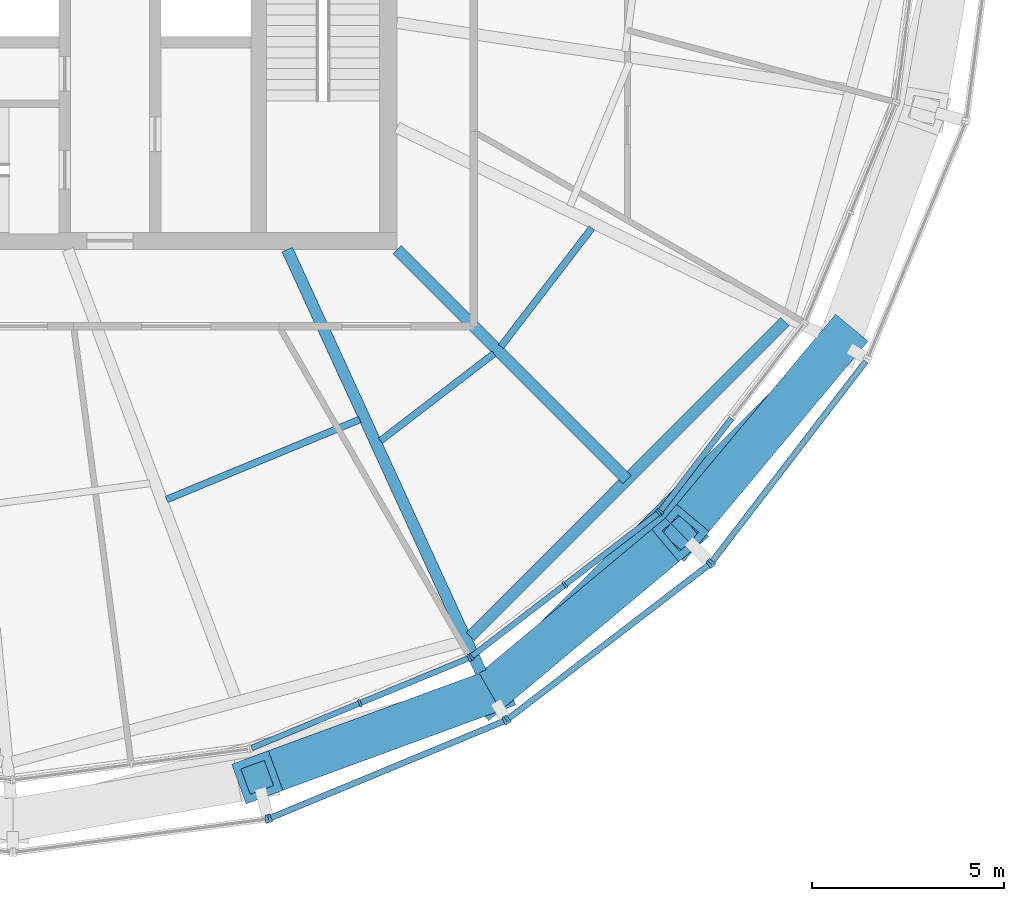
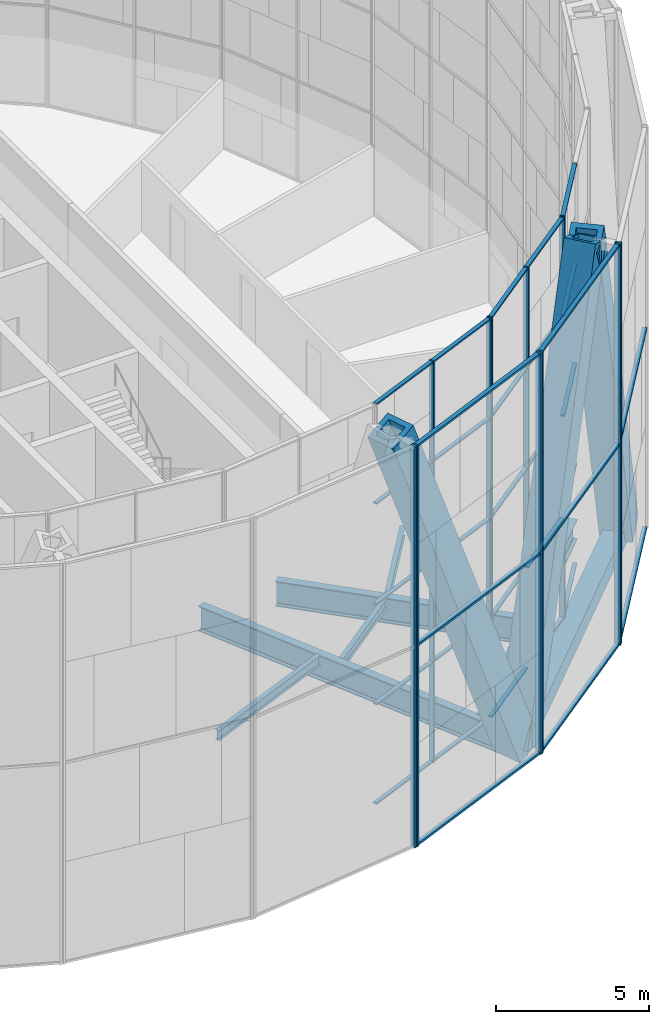
# One storey, part 5 of 28: 48 members, 7 beams, 7 elements without a shape of their own.
"""IFC4 building model written with IfcOpenShell, lengths in metres."""

from ifc_helpers import new_model, si_unit, direction, frame, origin, origin_2d, place, context, subcontext, project, spatial, rectangle, hollow_rectangle, i_section, extrude, material, material_profile, profile_set, type_object, element, aggregate, save


model = new_model("IFC4")

# Units and contexts
model_context = context("Model", 3, precision=1e-05, world=origin(), true_north=direction((0.0, 1.0)))
body_context = subcontext(model_context, "Body", "Model", "MODEL_VIEW")
ifc_project = project(units=[si_unit("LENGTHUNIT", "METRE"), si_unit("AREAUNIT", "SQUARE_METRE"), si_unit("VOLUMEUNIT", "CUBIC_METRE"), si_unit("PLANEANGLEUNIT", "RADIAN"), si_unit("MASSUNIT", "GRAM", prefix="KILO")], contexts=[model_context])

# Site, building, storey
site_placement = place(None, origin())
site = spatial("IfcSite", under=ifc_project, at=site_placement, CompositionType="ELEMENT")
building_placement = place(site_placement, origin())
building = spatial("IfcBuilding", under=site, at=building_placement, Name="Golbaran Civic Tower", CompositionType="ELEMENT")
storey_placement = place(building_placement, frame((0.0, 0.0, 183.0)))
storey = spatial("IfcBuildingStorey", under=building, at=storey_placement, Name="L44", CompositionType="ELEMENT", Elevation=183.0)

# Members
ifc_material_1 = material(Name="Steel S355", Category="steel")
ifc_material_profile_1 = material_profile(ifc_material_1, hollow_rectangle(XDim=1.10009765625, YDim=1.10009765625, WallThickness=0.199951171875, at=origin_2d()), Name="BOX 1100x1100x200")
ifc_profile_set_1 = profile_set([ifc_material_profile_1], Name="Steel S355")
member_type_1 = type_object("IfcMemberType", Name="DIAGRID DIAGONAL BOX 1100x1100x200", PredefinedType="BRACE", material=ifc_profile_set_1)
for number, where, z_axis, x_axis, name in (
    (1, (12.423583984375, -21.51806640625, -0.7099609375), (0.287218522204, 0.239886471914, 0.927340283335), (-0.641031997067, 0.767514155398, 0.0), "Diagonal D10-10R L44-L48"),
    (2, (12.423583984375, -21.51806640625, -0.7099609375), (-0.351359818356, -0.128807878317, 0.927337483621), (0.344197986848, -0.938897090127, 0.0), "Diagonal D10-10L L44-L48"),
    (3, (21.51806640625, -12.423583984375, -0.7099609375), (-0.239886471914, -0.287218522204, 0.927340283335), (0.767514155398, -0.641031997067, 0.0), "Diagonal D10-11L L44-L48"),
):
    element("IfcMember", number, at=place(storey_placement, frame(where, z_axis=z_axis, x_axis=x_axis)), inside=storey, type_object=member_type_1, Name=name, PredefinedType="BRACE", context=body_context, shape_type="SweptSolid", body=[
        extrude(hollow_rectangle(XDim=1.10009765625, YDim=1.10009765625, WallThickness=0.199951171875, at=origin_2d()), origin(), (0.0, 0.0, 1.0), 17.253662109375),
    ])

# Beams
ifc_material_profile_2 = material_profile(ifc_material_1, hollow_rectangle(XDim=0.699951171875, YDim=0.699951171875, WallThickness=0.080078125, at=origin_2d()), Name="BOX 700x700x80")
ifc_profile_set_2 = profile_set([ifc_material_profile_2], Name="Steel S355")
beam_type_1 = type_object("IfcBeamType", Name="DIAGRID RING TIE BOX 700x700x80", PredefinedType="BEAM", material=ifc_profile_set_2)
beam_1_placement = place(storey_placement, frame((12.423583984375, -21.51806640625, -0.7099609375), z_axis=(0.707106781187, 0.707106781187, 0.0), x_axis=(-0.707106781187, 0.707106781187, 0.0)))
element("IfcBeam", 4, at=beam_1_placement, inside=storey, type_object=beam_type_1, Name="Ring tie 300.00 L44", PredefinedType="BEAM", context=body_context, shape_type="SweptSolid", body=[
    extrude(hollow_rectangle(XDim=0.699951171875, YDim=0.699951171875, WallThickness=0.080078125, at=origin_2d()), origin(), (0.0, 0.0, 1.0), 12.861572265625),
])
ifc_material_profile_3 = material_profile(ifc_material_1, i_section(OverallWidth=0.300048828125, OverallDepth=0.800048828125, WebThickness=0.017578125, FlangeThickness=0.032958984375, FilletRadius=0.030029296875, at=origin_2d()), Name="HEB 800")
ifc_profile_set_3 = profile_set([ifc_material_profile_3], Name="Steel S355")
beam_type_2 = type_object("IfcBeamType", Name="EDGE BEAM HEB 800", PredefinedType="BEAM", material=ifc_profile_set_3)
beam_2_placement = place(storey_placement, frame((11.906494140625, -20.07861328125, -0.60009765625), z_axis=(0.706601088042, 0.707612112939, 0.0), x_axis=(-0.707612112939, 0.706601088042, 0.0)))
element("IfcBeam", 5, at=beam_2_placement, inside=storey, type_object=beam_type_2, Name="Edge beam 300.00 L44", PredefinedType="BEAM", context=body_context, shape_type="SweptSolid", body=[
    extrude(i_section(OverallWidth=0.300048828125, OverallDepth=0.800048828125, WebThickness=0.017578125, FlangeThickness=0.032958984375, FilletRadius=0.030029296875, at=origin_2d()), origin(), (0.0, 0.0, 1.0), 11.591064453125),
])
ifc_material_profile_4 = material_profile(ifc_material_1, i_section(OverallWidth=0.179931640625, OverallDepth=0.39990234375, WebThickness=0.008544921875, FlangeThickness=0.013427734375, FilletRadius=0.02099609375, at=origin_2d()), Name="IPE 400")
ifc_profile_set_4 = profile_set([ifc_material_profile_4], Name="Steel S355")
beam_type_3 = type_object("IfcBeamType", Name="FLOOR INFILL BEAM IPE 400", PredefinedType="BEAM", material=ifc_profile_set_4)
beam_3_placement = place(storey_placement, frame((4.001953125, -16.5068359375, -0.39990234375), z_axis=(0.923883388198, 0.382674123782, 0.0), x_axis=(-0.382674123782, 0.923883388198, 0.0)))
element("IfcBeam", 6, at=beam_3_placement, inside=storey, type_object=beam_type_3, Name="Infill beam 292.50 L44", PredefinedType="BEAM", context=body_context, shape_type="SweptSolid", body=[
    extrude(i_section(OverallWidth=0.179931640625, OverallDepth=0.39990234375, WebThickness=0.008544921875, FlangeThickness=0.013427734375, FilletRadius=0.02099609375, at=origin_2d()), origin(), (0.0, 0.0, 1.0), 5.440673828125),
])
beam_4_placement = place(storey_placement, frame((9.568115234375, -14.977783203125, -0.39990234375), z_axis=(0.793380688002, 0.60872578712, 0.0), x_axis=(-0.60872578712, 0.793380688002, 0.0)))
element("IfcBeam", 7, at=beam_4_placement, inside=storey, type_object=beam_type_3, Name="Infill beam 307.50 L44", PredefinedType="BEAM", context=body_context, shape_type="SweptSolid", body=[
    extrude(i_section(OverallWidth=0.179931640625, OverallDepth=0.39990234375, WebThickness=0.008544921875, FlangeThickness=0.013427734375, FilletRadius=0.02099609375, at=origin_2d()), origin(), (0.0, 0.0, 1.0), 3.72705078125),
])
beam_5_placement = place(storey_placement, frame((12.707275390625, -12.5234375, -0.39990234375), z_axis=(0.608764623827, 0.79335088881, 0.0), x_axis=(-0.79335088881, 0.608764623827, 0.0)))
element("IfcBeam", 8, at=beam_5_placement, inside=storey, type_object=beam_type_3, Name="Infill beam 322.50 L44", PredefinedType="BEAM", context=body_context, shape_type="SweptSolid", body=[
    extrude(i_section(OverallWidth=0.179931640625, OverallDepth=0.39990234375, WebThickness=0.008544921875, FlangeThickness=0.013427734375, FilletRadius=0.02099609375, at=origin_2d()), origin(), (0.0, 0.0, 1.0), 3.892578125),
])

# Curtain wall, members
ifc_material_2 = material(Name="Aluminium and glass", Category="aluminium")
curtain_wall_type_1 = type_object("IfcCurtainWallType", Name="INNER SKIN CURTAIN WALL EXECUTIVE", PredefinedType="NOTDEFINED", material=ifc_material_2)
curtain_wall_1_placement = place(storey_placement, origin())
curtain_wall_1 = element("IfcCurtainWall", 9, at=curtain_wall_1_placement, inside=storey, type_object=curtain_wall_type_1, Name="Inner skin L44 facet 20 CW2", ObjectType="INNER SKIN", PredefinedType="USERDEFINED")
ifc_material_3 = material(Name="Aluminium", Category="aluminium")
ifc_material_profile_5 = material_profile(ifc_material_3, rectangle(XDim=0.199951171875, YDim=0.06005859375, at=origin_2d()), Name="INNER SKIN CURTAIN WALL EXECUTIVE MULLION")
ifc_profile_set_5 = profile_set([ifc_material_profile_5], Name="Aluminium")
member_type_2 = type_object("IfcMemberType", Name="INNER SKIN CURTAIN WALL EXECUTIVE MULLION", PredefinedType="MULLION", material=ifc_profile_set_5)
member_1_placement = place(storey_placement, frame((9.034423828125, -21.811279296875, 0.0), z_axis=(0.0, 0.0, 1.0), x_axis=(-0.382683432413, 0.923879532491, 0.0)))
member_1 = element("IfcMember", 10, at=member_1_placement, type_object=member_type_2, Name="CW2 mullion 2", PredefinedType="MULLION", context=body_context, shape_type="SweptSolid", body=[
    extrude(rectangle(XDim=0.199951171875, YDim=0.06005859375, at=origin_2d()), origin(), (0.0, 0.0, 1.0), 16.0),
])
member_2_placement = place(storey_placement, frame((11.878173828125, -20.63330078125, 0.0), z_axis=(0.0, 0.0, 1.0), x_axis=(-0.382683432413, 0.923879532491, 0.0)))
member_2 = element("IfcMember", 11, at=member_2_placement, type_object=member_type_2, Name="CW2 mullion 3", PredefinedType="MULLION", context=body_context, shape_type="SweptSolid", body=[
    extrude(rectangle(XDim=0.199951171875, YDim=0.06005859375, at=origin_2d()), origin(), (0.0, 0.0, 1.0), 16.0),
])

curtain_wall_2_placement = place(storey_placement, origin())
curtain_wall_2 = element("IfcCurtainWall", 12, at=curtain_wall_2_placement, inside=storey, type_object=curtain_wall_type_1, Name="Inner skin L44 facet 21 CW2", ObjectType="INNER SKIN", PredefinedType="USERDEFINED")
member_3_placement = place(storey_placement, frame((11.9296875, -20.603515625, 0.0), z_axis=(0.0, 0.0, 1.0), x_axis=(-0.608761428953, 0.793353340334, 0.0)))
member_3 = element("IfcMember", 13, at=member_3_placement, type_object=member_type_2, Name="CW2 mullion 1", PredefinedType="MULLION", context=body_context, shape_type="SweptSolid", body=[
    extrude(rectangle(XDim=0.199951171875, YDim=0.06005859375, at=origin_2d()), origin(), (0.0, 0.0, 1.0), 16.0),
])
member_4_placement = place(storey_placement, frame((14.371826171875, -18.729736328125, 0.0), z_axis=(0.0, 0.0, 1.0), x_axis=(-0.608761428953, 0.793353340334, 0.0)))
member_4 = element("IfcMember", 14, at=member_4_placement, type_object=member_type_2, Name="CW2 mullion 2", PredefinedType="MULLION", context=body_context, shape_type="SweptSolid", body=[
    extrude(rectangle(XDim=0.199951171875, YDim=0.06005859375, at=origin_2d()), origin(), (0.0, 0.0, 1.0), 16.0),
])
member_5_placement = place(storey_placement, frame((16.813720703125, -16.85595703125, 0.0), z_axis=(0.0, 0.0, 1.0), x_axis=(-0.608761428953, 0.793353340334, 0.0)))
member_5 = element("IfcMember", 15, at=member_5_placement, type_object=member_type_2, Name="CW2 mullion 3", PredefinedType="MULLION", context=body_context, shape_type="SweptSolid", body=[
    extrude(rectangle(XDim=0.199951171875, YDim=0.06005859375, at=origin_2d()), origin(), (0.0, 0.0, 1.0), 16.0),
])

# Curtain wall, member
curtain_wall_3_placement = place(storey_placement, origin())
curtain_wall_3 = element("IfcCurtainWall", 16, at=curtain_wall_3_placement, inside=storey, type_object=curtain_wall_type_1, Name="Inner skin L44 facet 22 CW2", ObjectType="INNER SKIN", PredefinedType="USERDEFINED")
member_6_placement = place(storey_placement, frame((16.85595703125, -16.813720703125, 0.0), z_axis=(0.0, 0.0, 1.0), x_axis=(-0.793353340334, 0.608761428953, 0.0)))
member_6 = element("IfcMember", 17, at=member_6_placement, type_object=member_type_2, Name="CW2 mullion 1", PredefinedType="MULLION", context=body_context, shape_type="SweptSolid", body=[
    extrude(rectangle(XDim=0.199951171875, YDim=0.06005859375, at=origin_2d()), origin(), (0.0, 0.0, 1.0), 16.0),
])

# Member
ifc_material_profile_6 = material_profile(ifc_material_3, rectangle(XDim=0.14990234375, YDim=0.06005859375, at=origin_2d()), Name="INNER SKIN CURTAIN WALL EXECUTIVE TRANSOM")
ifc_profile_set_6 = profile_set([ifc_material_profile_6], Name="Aluminium")
member_type_3 = type_object("IfcMemberType", Name="INNER SKIN CURTAIN WALL EXECUTIVE TRANSOM", PredefinedType="USERDEFINED", material=ifc_profile_set_6)
member_7_placement = place(storey_placement, frame((6.218505859375, -22.977783203125, 0.030029296875), z_axis=(0.923871898929, 0.382701860943, 0.0), x_axis=(-0.382701860943, 0.923871898929, 0.0)))
member_7 = element("IfcMember", 18, at=member_7_placement, type_object=member_type_3, Name="CW2 transom 1.1", ObjectType="TRANSOM", PredefinedType="USERDEFINED", context=body_context, shape_type="SweptSolid", body=[
    extrude(rectangle(XDim=0.14990234375, YDim=0.06005859375, at=origin_2d()), origin(), (0.0, 0.0, 1.0), 3.01806640625),
])

member_8_placement = place(storey_placement, frame((6.218505859375, -22.977783203125, 4.0), z_axis=(0.923871898929, 0.382701860943, 0.0), x_axis=(-0.382701860943, 0.923871898929, 0.0)))
member_8 = element("IfcMember", 19, at=member_8_placement, type_object=member_type_3, Name="CW2 transom 1.2", ObjectType="TRANSOM", PredefinedType="USERDEFINED", context=body_context, shape_type="SweptSolid", body=[
    extrude(rectangle(XDim=0.14990234375, YDim=0.06005859375, at=origin_2d()), origin(), (0.0, 0.0, 1.0), 3.01806640625),
])

member_9_placement = place(storey_placement, frame((6.218505859375, -22.977783203125, 8.0), z_axis=(0.923871898929, 0.382701860943, 0.0), x_axis=(-0.382701860943, 0.923871898929, 0.0)))
member_9 = element("IfcMember", 20, at=member_9_placement, type_object=member_type_3, Name="CW2 transom 1.3", ObjectType="TRANSOM", PredefinedType="USERDEFINED", context=body_context, shape_type="SweptSolid", body=[
    extrude(rectangle(XDim=0.14990234375, YDim=0.06005859375, at=origin_2d()), origin(), (0.0, 0.0, 1.0), 3.01806640625),
])

member_10_placement = place(storey_placement, frame((6.218505859375, -22.977783203125, 12.0), z_axis=(0.923871898929, 0.382701860943, 0.0), x_axis=(-0.382701860943, 0.923871898929, 0.0)))
member_10 = element("IfcMember", 21, at=member_10_placement, type_object=member_type_3, Name="CW2 transom 1.4", ObjectType="TRANSOM", PredefinedType="USERDEFINED", context=body_context, shape_type="SweptSolid", body=[
    extrude(rectangle(XDim=0.14990234375, YDim=0.06005859375, at=origin_2d()), origin(), (0.0, 0.0, 1.0), 3.01806640625),
])

member_11_placement = place(storey_placement, frame((6.218505859375, -22.977783203125, 15.969970703125), z_axis=(0.923871898929, 0.382701860943, 0.0), x_axis=(-0.382701860943, 0.923871898929, 0.0)))
member_11 = element("IfcMember", 22, at=member_11_placement, type_object=member_type_3, Name="CW2 transom 1.5", ObjectType="TRANSOM", PredefinedType="USERDEFINED", context=body_context, shape_type="SweptSolid", body=[
    extrude(rectangle(XDim=0.14990234375, YDim=0.06005859375, at=origin_2d()), origin(), (0.0, 0.0, 1.0), 3.01806640625),
])

member_12_placement = place(storey_placement, frame((9.062255859375, -21.7998046875, 0.030029296875), z_axis=(0.923871898929, 0.382701860943, 0.0), x_axis=(-0.382701860943, 0.923871898929, 0.0)))
member_12 = element("IfcMember", 23, at=member_12_placement, type_object=member_type_3, Name="CW2 transom 2.1", ObjectType="TRANSOM", PredefinedType="USERDEFINED", context=body_context, shape_type="SweptSolid", body=[
    extrude(rectangle(XDim=0.14990234375, YDim=0.06005859375, at=origin_2d()), origin(), (0.0, 0.0, 1.0), 3.01806640625),
])

member_13_placement = place(storey_placement, frame((9.062255859375, -21.7998046875, 4.0), z_axis=(0.923871898929, 0.382701860943, 0.0), x_axis=(-0.382701860943, 0.923871898929, 0.0)))
member_13 = element("IfcMember", 24, at=member_13_placement, type_object=member_type_3, Name="CW2 transom 2.2", ObjectType="TRANSOM", PredefinedType="USERDEFINED", context=body_context, shape_type="SweptSolid", body=[
    extrude(rectangle(XDim=0.14990234375, YDim=0.06005859375, at=origin_2d()), origin(), (0.0, 0.0, 1.0), 3.01806640625),
])

member_14_placement = place(storey_placement, frame((9.062255859375, -21.7998046875, 8.0), z_axis=(0.923871898929, 0.382701860943, 0.0), x_axis=(-0.382701860943, 0.923871898929, 0.0)))
member_14 = element("IfcMember", 25, at=member_14_placement, type_object=member_type_3, Name="CW2 transom 2.3", ObjectType="TRANSOM", PredefinedType="USERDEFINED", context=body_context, shape_type="SweptSolid", body=[
    extrude(rectangle(XDim=0.14990234375, YDim=0.06005859375, at=origin_2d()), origin(), (0.0, 0.0, 1.0), 3.01806640625),
])

member_15_placement = place(storey_placement, frame((9.062255859375, -21.7998046875, 12.0), z_axis=(0.923871898929, 0.382701860943, 0.0), x_axis=(-0.382701860943, 0.923871898929, 0.0)))
member_15 = element("IfcMember", 26, at=member_15_placement, type_object=member_type_3, Name="CW2 transom 2.4", ObjectType="TRANSOM", PredefinedType="USERDEFINED", context=body_context, shape_type="SweptSolid", body=[
    extrude(rectangle(XDim=0.14990234375, YDim=0.06005859375, at=origin_2d()), origin(), (0.0, 0.0, 1.0), 3.01806640625),
])

member_16_placement = place(storey_placement, frame((9.062255859375, -21.7998046875, 15.969970703125), z_axis=(0.923871898929, 0.382701860943, 0.0), x_axis=(-0.382701860943, 0.923871898929, 0.0)))
member_16 = element("IfcMember", 27, at=member_16_placement, type_object=member_type_3, Name="CW2 transom 2.5", ObjectType="TRANSOM", PredefinedType="USERDEFINED", context=body_context, shape_type="SweptSolid", body=[
    extrude(rectangle(XDim=0.14990234375, YDim=0.06005859375, at=origin_2d()), origin(), (0.0, 0.0, 1.0), 3.01806640625),
])

aggregate(curtain_wall_1, [member_1, member_2, member_7, member_8, member_9, member_10, member_11, member_12, member_13, member_14, member_15, member_16])

member_17_placement = place(storey_placement, frame((11.95361328125, -20.585205078125, 0.030029296875), z_axis=(0.793360207691, 0.608752479135, 0.0), x_axis=(-0.608752479135, 0.793360207691, 0.0)))
member_17 = element("IfcMember", 28, at=member_17_placement, type_object=member_type_3, Name="CW2 transom 1.1", ObjectType="TRANSOM", PredefinedType="USERDEFINED", context=body_context, shape_type="SweptSolid", body=[
    extrude(rectangle(XDim=0.14990234375, YDim=0.06005859375, at=origin_2d()), origin(), (0.0, 0.0, 1.0), 3.017822265625),
])

member_18_placement = place(storey_placement, frame((11.95361328125, -20.585205078125, 4.0), z_axis=(0.793360207691, 0.608752479135, 0.0), x_axis=(-0.608752479135, 0.793360207691, 0.0)))
member_18 = element("IfcMember", 29, at=member_18_placement, type_object=member_type_3, Name="CW2 transom 1.2", ObjectType="TRANSOM", PredefinedType="USERDEFINED", context=body_context, shape_type="SweptSolid", body=[
    extrude(rectangle(XDim=0.14990234375, YDim=0.06005859375, at=origin_2d()), origin(), (0.0, 0.0, 1.0), 3.017822265625),
])

member_19_placement = place(storey_placement, frame((11.95361328125, -20.585205078125, 8.0), z_axis=(0.793360207691, 0.608752479135, 0.0), x_axis=(-0.608752479135, 0.793360207691, 0.0)))
member_19 = element("IfcMember", 30, at=member_19_placement, type_object=member_type_3, Name="CW2 transom 1.3", ObjectType="TRANSOM", PredefinedType="USERDEFINED", context=body_context, shape_type="SweptSolid", body=[
    extrude(rectangle(XDim=0.14990234375, YDim=0.06005859375, at=origin_2d()), origin(), (0.0, 0.0, 1.0), 3.017822265625),
])

member_20_placement = place(storey_placement, frame((11.95361328125, -20.585205078125, 12.0), z_axis=(0.793360207691, 0.608752479135, 0.0), x_axis=(-0.608752479135, 0.793360207691, 0.0)))
member_20 = element("IfcMember", 31, at=member_20_placement, type_object=member_type_3, Name="CW2 transom 1.4", ObjectType="TRANSOM", PredefinedType="USERDEFINED", context=body_context, shape_type="SweptSolid", body=[
    extrude(rectangle(XDim=0.14990234375, YDim=0.06005859375, at=origin_2d()), origin(), (0.0, 0.0, 1.0), 3.017822265625),
])

member_21_placement = place(storey_placement, frame((11.95361328125, -20.585205078125, 15.969970703125), z_axis=(0.793360207691, 0.608752479135, 0.0), x_axis=(-0.608752479135, 0.793360207691, 0.0)))
member_21 = element("IfcMember", 32, at=member_21_placement, type_object=member_type_3, Name="CW2 transom 1.5", ObjectType="TRANSOM", PredefinedType="USERDEFINED", context=body_context, shape_type="SweptSolid", body=[
    extrude(rectangle(XDim=0.14990234375, YDim=0.06005859375, at=origin_2d()), origin(), (0.0, 0.0, 1.0), 3.017822265625),
])

member_22_placement = place(storey_placement, frame((14.3955078125, -18.71142578125, 0.030029296875), z_axis=(0.793390183707, 0.608713410726, 0.0), x_axis=(-0.608713410726, 0.793390183707, 0.0)))
member_22 = element("IfcMember", 33, at=member_22_placement, type_object=member_type_3, Name="CW2 transom 2.1", ObjectType="TRANSOM", PredefinedType="USERDEFINED", context=body_context, shape_type="SweptSolid", body=[
    extrude(rectangle(XDim=0.14990234375, YDim=0.06005859375, at=origin_2d()), origin(), (0.0, 0.0, 1.0), 3.01806640625),
])

member_23_placement = place(storey_placement, frame((14.3955078125, -18.71142578125, 4.0), z_axis=(0.793390183707, 0.608713410726, 0.0), x_axis=(-0.608713410726, 0.793390183707, 0.0)))
member_23 = element("IfcMember", 34, at=member_23_placement, type_object=member_type_3, Name="CW2 transom 2.2", ObjectType="TRANSOM", PredefinedType="USERDEFINED", context=body_context, shape_type="SweptSolid", body=[
    extrude(rectangle(XDim=0.14990234375, YDim=0.06005859375, at=origin_2d()), origin(), (0.0, 0.0, 1.0), 3.01806640625),
])

member_24_placement = place(storey_placement, frame((14.3955078125, -18.71142578125, 8.0), z_axis=(0.793390183707, 0.608713410726, 0.0), x_axis=(-0.608713410726, 0.793390183707, 0.0)))
member_24 = element("IfcMember", 35, at=member_24_placement, type_object=member_type_3, Name="CW2 transom 2.3", ObjectType="TRANSOM", PredefinedType="USERDEFINED", context=body_context, shape_type="SweptSolid", body=[
    extrude(rectangle(XDim=0.14990234375, YDim=0.06005859375, at=origin_2d()), origin(), (0.0, 0.0, 1.0), 3.01806640625),
])

member_25_placement = place(storey_placement, frame((14.3955078125, -18.71142578125, 12.0), z_axis=(0.793390183707, 0.608713410726, 0.0), x_axis=(-0.608713410726, 0.793390183707, 0.0)))
member_25 = element("IfcMember", 36, at=member_25_placement, type_object=member_type_3, Name="CW2 transom 2.4", ObjectType="TRANSOM", PredefinedType="USERDEFINED", context=body_context, shape_type="SweptSolid", body=[
    extrude(rectangle(XDim=0.14990234375, YDim=0.06005859375, at=origin_2d()), origin(), (0.0, 0.0, 1.0), 3.01806640625),
])

member_26_placement = place(storey_placement, frame((14.3955078125, -18.71142578125, 15.969970703125), z_axis=(0.793390183707, 0.608713410726, 0.0), x_axis=(-0.608713410726, 0.793390183707, 0.0)))
member_26 = element("IfcMember", 37, at=member_26_placement, type_object=member_type_3, Name="CW2 transom 2.5", ObjectType="TRANSOM", PredefinedType="USERDEFINED", context=body_context, shape_type="SweptSolid", body=[
    extrude(rectangle(XDim=0.14990234375, YDim=0.06005859375, at=origin_2d()), origin(), (0.0, 0.0, 1.0), 3.01806640625),
])

aggregate(curtain_wall_2, [member_3, member_4, member_5, member_17, member_18, member_19, member_20, member_21, member_22, member_23, member_24, member_25, member_26])

member_27_placement = place(storey_placement, frame((16.874267578125, -16.7900390625, 0.030029296875), z_axis=(0.608713410726, 0.793390183707, 0.0), x_axis=(-0.793390183707, 0.608713410726, 0.0)))
member_27 = element("IfcMember", 38, at=member_27_placement, type_object=member_type_3, Name="CW2 transom 1.1", ObjectType="TRANSOM", PredefinedType="USERDEFINED", context=body_context, shape_type="SweptSolid", body=[
    extrude(rectangle(XDim=0.14990234375, YDim=0.06005859375, at=origin_2d()), origin(), (0.0, 0.0, 1.0), 3.01806640625),
])

member_28_placement = place(storey_placement, frame((16.874267578125, -16.7900390625, 4.0), z_axis=(0.608713410726, 0.793390183707, 0.0), x_axis=(-0.793390183707, 0.608713410726, 0.0)))
member_28 = element("IfcMember", 39, at=member_28_placement, type_object=member_type_3, Name="CW2 transom 1.2", ObjectType="TRANSOM", PredefinedType="USERDEFINED", context=body_context, shape_type="SweptSolid", body=[
    extrude(rectangle(XDim=0.14990234375, YDim=0.06005859375, at=origin_2d()), origin(), (0.0, 0.0, 1.0), 3.01806640625),
])

member_29_placement = place(storey_placement, frame((16.874267578125, -16.7900390625, 8.0), z_axis=(0.608713410726, 0.793390183707, 0.0), x_axis=(-0.793390183707, 0.608713410726, 0.0)))
member_29 = element("IfcMember", 40, at=member_29_placement, type_object=member_type_3, Name="CW2 transom 1.3", ObjectType="TRANSOM", PredefinedType="USERDEFINED", context=body_context, shape_type="SweptSolid", body=[
    extrude(rectangle(XDim=0.14990234375, YDim=0.06005859375, at=origin_2d()), origin(), (0.0, 0.0, 1.0), 3.01806640625),
])

member_30_placement = place(storey_placement, frame((16.874267578125, -16.7900390625, 12.0), z_axis=(0.608713410726, 0.793390183707, 0.0), x_axis=(-0.793390183707, 0.608713410726, 0.0)))
member_30 = element("IfcMember", 41, at=member_30_placement, type_object=member_type_3, Name="CW2 transom 1.4", ObjectType="TRANSOM", PredefinedType="USERDEFINED", context=body_context, shape_type="SweptSolid", body=[
    extrude(rectangle(XDim=0.14990234375, YDim=0.06005859375, at=origin_2d()), origin(), (0.0, 0.0, 1.0), 3.01806640625),
])

member_31_placement = place(storey_placement, frame((16.874267578125, -16.7900390625, 15.969970703125), z_axis=(0.608713410726, 0.793390183707, 0.0), x_axis=(-0.793390183707, 0.608713410726, 0.0)))
member_31 = element("IfcMember", 42, at=member_31_placement, type_object=member_type_3, Name="CW2 transom 1.5", ObjectType="TRANSOM", PredefinedType="USERDEFINED", context=body_context, shape_type="SweptSolid", body=[
    extrude(rectangle(XDim=0.14990234375, YDim=0.06005859375, at=origin_2d()), origin(), (0.0, 0.0, 1.0), 3.01806640625),
])

aggregate(curtain_wall_3, [member_6, member_27, member_28, member_29, member_30, member_31])

# Curtain wall, member
curtain_wall_type_2 = type_object("IfcCurtainWallType", Name="OUTER SKIN TERRACOTTA SCREEN", PredefinedType="NOTDEFINED", material=ifc_material_2)
curtain_wall_4_placement = place(storey_placement, origin())
curtain_wall_4 = element("IfcCurtainWall", 43, at=curtain_wall_4_placement, inside=storey, type_object=curtain_wall_type_2, Name="Outer skin L44 facet 19 CW3", ObjectType="OUTER SKIN", PredefinedType="USERDEFINED")
ifc_material_profile_7 = material_profile(ifc_material_3, rectangle(XDim=0.219970703125, YDim=0.080078125, at=origin_2d()), Name="OUTER SKIN TERRACOTTA SCREEN MULLION")
ifc_profile_set_7 = profile_set([ifc_material_profile_7], Name="Aluminium")
member_type_4 = type_object("IfcMemberType", Name="OUTER SKIN TERRACOTTA SCREEN MULLION", PredefinedType="MULLION", material=ifc_profile_set_7)
member_32_placement = place(storey_placement, frame((6.611328125, -24.82666015625, -0.7099609375), z_axis=(0.0, 0.0, 1.0), x_axis=(-0.130526192237, 0.991444861372, 0.0)))
member_32 = element("IfcMember", 44, at=member_32_placement, type_object=member_type_4, Name="CW3 mullion 2", PredefinedType="MULLION", context=body_context, shape_type="SweptSolid", body=[
    extrude(rectangle(XDim=0.219970703125, YDim=0.080078125, at=origin_2d()), origin(), (0.0, 0.0, 1.0), 16.0),
])
aggregate(curtain_wall_4, [member_32])

# Curtain wall, members
curtain_wall_5_placement = place(storey_placement, origin())
curtain_wall_5 = element("IfcCurtainWall", 45, at=curtain_wall_5_placement, inside=storey, type_object=curtain_wall_type_2, Name="Outer skin L44 facet 20 CW3", ObjectType="OUTER SKIN", PredefinedType="USERDEFINED")
member_33_placement = place(storey_placement, frame((6.687744140625, -24.80615234375, -0.7099609375), z_axis=(0.0, 0.0, 1.0), x_axis=(-0.382683432349, 0.923879532518, 0.0)))
member_33 = element("IfcMember", 46, at=member_33_placement, type_object=member_type_4, Name="CW3 mullion 1", PredefinedType="MULLION", context=body_context, shape_type="SweptSolid", body=[
    extrude(rectangle(XDim=0.219970703125, YDim=0.080078125, at=origin_2d()), origin(), (0.0, 0.0, 1.0), 16.0),
])
member_34_placement = place(storey_placement, frame((12.8115234375, -22.26953125, -0.7099609375), z_axis=(0.0, 0.0, 1.0), x_axis=(-0.382683432349, 0.923879532518, 0.0)))
member_34 = element("IfcMember", 47, at=member_34_placement, type_object=member_type_4, Name="CW3 mullion 2", PredefinedType="MULLION", context=body_context, shape_type="SweptSolid", body=[
    extrude(rectangle(XDim=0.219970703125, YDim=0.080078125, at=origin_2d()), origin(), (0.0, 0.0, 1.0), 16.0),
])

curtain_wall_6_placement = place(storey_placement, origin())
curtain_wall_6 = element("IfcCurtainWall", 48, at=curtain_wall_6_placement, inside=storey, type_object=curtain_wall_type_2, Name="Outer skin L44 facet 21 CW3", ObjectType="OUTER SKIN", PredefinedType="USERDEFINED")
member_35_placement = place(storey_placement, frame((12.880126953125, -22.22998046875, -0.7099609375), z_axis=(0.0, 0.0, 1.0), x_axis=(-0.608761429023, 0.793353340281, 0.0)))
member_35 = element("IfcMember", 49, at=member_35_placement, type_object=member_type_4, Name="CW3 mullion 1", PredefinedType="MULLION", context=body_context, shape_type="SweptSolid", body=[
    extrude(rectangle(XDim=0.219970703125, YDim=0.080078125, at=origin_2d()), origin(), (0.0, 0.0, 1.0), 16.0),
])
member_36_placement = place(storey_placement, frame((18.138671875, -18.19482421875, -0.7099609375), z_axis=(0.0, 0.0, 1.0), x_axis=(-0.608761429023, 0.793353340281, 0.0)))
member_36 = element("IfcMember", 50, at=member_36_placement, type_object=member_type_4, Name="CW3 mullion 2", PredefinedType="MULLION", context=body_context, shape_type="SweptSolid", body=[
    extrude(rectangle(XDim=0.219970703125, YDim=0.080078125, at=origin_2d()), origin(), (0.0, 0.0, 1.0), 16.0),
])

# Curtain wall, member
curtain_wall_7_placement = place(storey_placement, origin())
curtain_wall_7 = element("IfcCurtainWall", 51, at=curtain_wall_7_placement, inside=storey, type_object=curtain_wall_type_2, Name="Outer skin L44 facet 22 CW3", ObjectType="OUTER SKIN", PredefinedType="USERDEFINED")
member_37_placement = place(storey_placement, frame((18.19482421875, -18.138671875, -0.7099609375), z_axis=(0.0, 0.0, 1.0), x_axis=(-0.793353340281, 0.608761429023, 0.0)))
member_37 = element("IfcMember", 52, at=member_37_placement, type_object=member_type_4, Name="CW3 mullion 1", PredefinedType="MULLION", context=body_context, shape_type="SweptSolid", body=[
    extrude(rectangle(XDim=0.219970703125, YDim=0.080078125, at=origin_2d()), origin(), (0.0, 0.0, 1.0), 16.0),
])

# Member
ifc_material_profile_8 = material_profile(ifc_material_3, rectangle(XDim=0.159912109375, YDim=0.080078125, at=origin_2d()), Name="OUTER SKIN TERRACOTTA SCREEN TRANSOM")
ifc_profile_set_8 = profile_set([ifc_material_profile_8], Name="Aluminium")
member_type_5 = type_object("IfcMemberType", Name="OUTER SKIN TERRACOTTA SCREEN TRANSOM", PredefinedType="USERDEFINED", material=ifc_profile_set_8)
member_38_placement = place(storey_placement, frame((6.724853515625, -24.790771484375, -0.669921875), z_axis=(0.923882327997, 0.382676683396, 0.0), x_axis=(-0.382676683396, 0.923882327997, 0.0)))
member_38 = element("IfcMember", 53, at=member_38_placement, type_object=member_type_5, Name="CW3 transom 1.1", ObjectType="TRANSOM", PredefinedType="USERDEFINED", context=body_context, shape_type="SweptSolid", body=[
    extrude(rectangle(XDim=0.159912109375, YDim=0.080078125, at=origin_2d()), origin(), (0.0, 0.0, 1.0), 6.54833984375),
])

member_39_placement = place(storey_placement, frame((6.724853515625, -24.790771484375, 7.2900390625), z_axis=(0.923882327997, 0.382676683396, 0.0), x_axis=(-0.382676683396, 0.923882327997, 0.0)))
member_39 = element("IfcMember", 54, at=member_39_placement, type_object=member_type_5, Name="CW3 transom 1.2", ObjectType="TRANSOM", PredefinedType="USERDEFINED", context=body_context, shape_type="SweptSolid", body=[
    extrude(rectangle(XDim=0.159912109375, YDim=0.080078125, at=origin_2d()), origin(), (0.0, 0.0, 1.0), 6.54833984375),
])

member_40_placement = place(storey_placement, frame((6.724853515625, -24.790771484375, 15.25), z_axis=(0.923882327997, 0.382676683396, 0.0), x_axis=(-0.382676683396, 0.923882327997, 0.0)))
member_40 = element("IfcMember", 55, at=member_40_placement, type_object=member_type_5, Name="CW3 transom 1.3", ObjectType="TRANSOM", PredefinedType="USERDEFINED", context=body_context, shape_type="SweptSolid", body=[
    extrude(rectangle(XDim=0.159912109375, YDim=0.080078125, at=origin_2d()), origin(), (0.0, 0.0, 1.0), 6.54833984375),
])

aggregate(curtain_wall_5, [member_33, member_34, member_38, member_39, member_40])

member_41_placement = place(storey_placement, frame((12.911865234375, -22.20556640625, -0.669921875), z_axis=(0.793352457563, 0.608762579401, 0.0), x_axis=(-0.608762579401, 0.793352457563, 0.0)))
member_41 = element("IfcMember", 56, at=member_41_placement, type_object=member_type_5, Name="CW3 transom 1.1", ObjectType="TRANSOM", PredefinedType="USERDEFINED", context=body_context, shape_type="SweptSolid", body=[
    extrude(rectangle(XDim=0.159912109375, YDim=0.080078125, at=origin_2d()), origin(), (0.0, 0.0, 1.0), 6.54833984375),
])

member_42_placement = place(storey_placement, frame((12.911865234375, -22.20556640625, 7.2900390625), z_axis=(0.793352457563, 0.608762579401, 0.0), x_axis=(-0.608762579401, 0.793352457563, 0.0)))
member_42 = element("IfcMember", 57, at=member_42_placement, type_object=member_type_5, Name="CW3 transom 1.2", ObjectType="TRANSOM", PredefinedType="USERDEFINED", context=body_context, shape_type="SweptSolid", body=[
    extrude(rectangle(XDim=0.159912109375, YDim=0.080078125, at=origin_2d()), origin(), (0.0, 0.0, 1.0), 6.54833984375),
])

member_43_placement = place(storey_placement, frame((12.911865234375, -22.20556640625, 15.25), z_axis=(0.793352457563, 0.608762579401, 0.0), x_axis=(-0.608762579401, 0.793352457563, 0.0)))
member_43 = element("IfcMember", 58, at=member_43_placement, type_object=member_type_5, Name="CW3 transom 1.3", ObjectType="TRANSOM", PredefinedType="USERDEFINED", context=body_context, shape_type="SweptSolid", body=[
    extrude(rectangle(XDim=0.159912109375, YDim=0.080078125, at=origin_2d()), origin(), (0.0, 0.0, 1.0), 6.54833984375),
])

aggregate(curtain_wall_6, [member_35, member_36, member_41, member_42, member_43])

member_44_placement = place(storey_placement, frame((18.21923828125, -18.10693359375, -0.669921875), z_axis=(0.608762579401, 0.793352457563, 0.0), x_axis=(-0.793352457563, 0.608762579401, 0.0)))
member_44 = element("IfcMember", 59, at=member_44_placement, type_object=member_type_5, Name="CW3 transom 1.1", ObjectType="TRANSOM", PredefinedType="USERDEFINED", context=body_context, shape_type="SweptSolid", body=[
    extrude(rectangle(XDim=0.159912109375, YDim=0.080078125, at=origin_2d()), origin(), (0.0, 0.0, 1.0), 6.54833984375),
])

member_45_placement = place(storey_placement, frame((18.21923828125, -18.10693359375, 7.2900390625), z_axis=(0.608762579401, 0.793352457563, 0.0), x_axis=(-0.793352457563, 0.608762579401, 0.0)))
member_45 = element("IfcMember", 60, at=member_45_placement, type_object=member_type_5, Name="CW3 transom 1.2", ObjectType="TRANSOM", PredefinedType="USERDEFINED", context=body_context, shape_type="SweptSolid", body=[
    extrude(rectangle(XDim=0.159912109375, YDim=0.080078125, at=origin_2d()), origin(), (0.0, 0.0, 1.0), 6.54833984375),
])

aggregate(curtain_wall_7, [member_37, member_44, member_45])

# Beams
ifc_material_profile_9 = material_profile(ifc_material_1, i_section(OverallWidth=0.300048828125, OverallDepth=1.0, WebThickness=0.01904296875, FlangeThickness=0.035888671875, FilletRadius=0.030029296875, at=origin_2d()), Name="HEB 1000")
ifc_profile_set_9 = profile_set([ifc_material_profile_9], Name="Steel S355")
beam_type_4 = type_object("IfcBeamType", Name="RADIAL FLOOR BEAM HEB 1000", PredefinedType="BEAM", material=ifc_profile_set_9)
beam_6_placement = place(storey_placement, frame((7.142822265625, -10.0, -0.7099609375), z_axis=(0.416760302145, -0.909016419299, 0.0), x_axis=(0.909016419299, 0.416760302145, 0.0)))
element("IfcBeam", 61, at=beam_6_placement, inside=storey, type_object=beam_type_4, Name="Radial beam 300.00 L44", PredefinedType="BEAM", context=body_context, shape_type="SweptSolid", body=[
    extrude(i_section(OverallWidth=0.300048828125, OverallDepth=1.0, WebThickness=0.01904296875, FlangeThickness=0.035888671875, FilletRadius=0.030029296875, at=origin_2d()), origin(), (0.0, 0.0, 1.0), 12.10107421875),
])
ifc_material_profile_10 = material_profile(ifc_material_1, i_section(OverallWidth=0.300048828125, OverallDepth=1.0, WebThickness=0.01904296875, FlangeThickness=0.035888671875, FilletRadius=0.030029296875, at=origin_2d()), Name="HEB 1000")
ifc_profile_set_10 = profile_set([ifc_material_profile_10], Name="Steel S355")
beam_type_5 = type_object("IfcBeamType", Name="SECONDARY FLOOR BEAM HEB 1000", PredefinedType="BEAM", material=ifc_profile_set_10)
beam_7_placement = place(storey_placement, frame((10.0, -10.0, -0.7099609375), z_axis=(0.707106781187, -0.707106781187, 0.0), x_axis=(0.707106781187, 0.707106781187, 0.0)))
element("IfcBeam", 62, at=beam_7_placement, inside=storey, type_object=beam_type_5, Name="Secondary beam 315.00 L44", PredefinedType="BEAM", context=body_context, shape_type="SweptSolid", body=[
    extrude(i_section(OverallWidth=0.300048828125, OverallDepth=1.0, WebThickness=0.01904296875, FlangeThickness=0.035888671875, FilletRadius=0.030029296875, at=origin_2d()), origin(), (0.0, 0.0, 1.0), 8.470703125),
])

save(model, "model.ifc")
